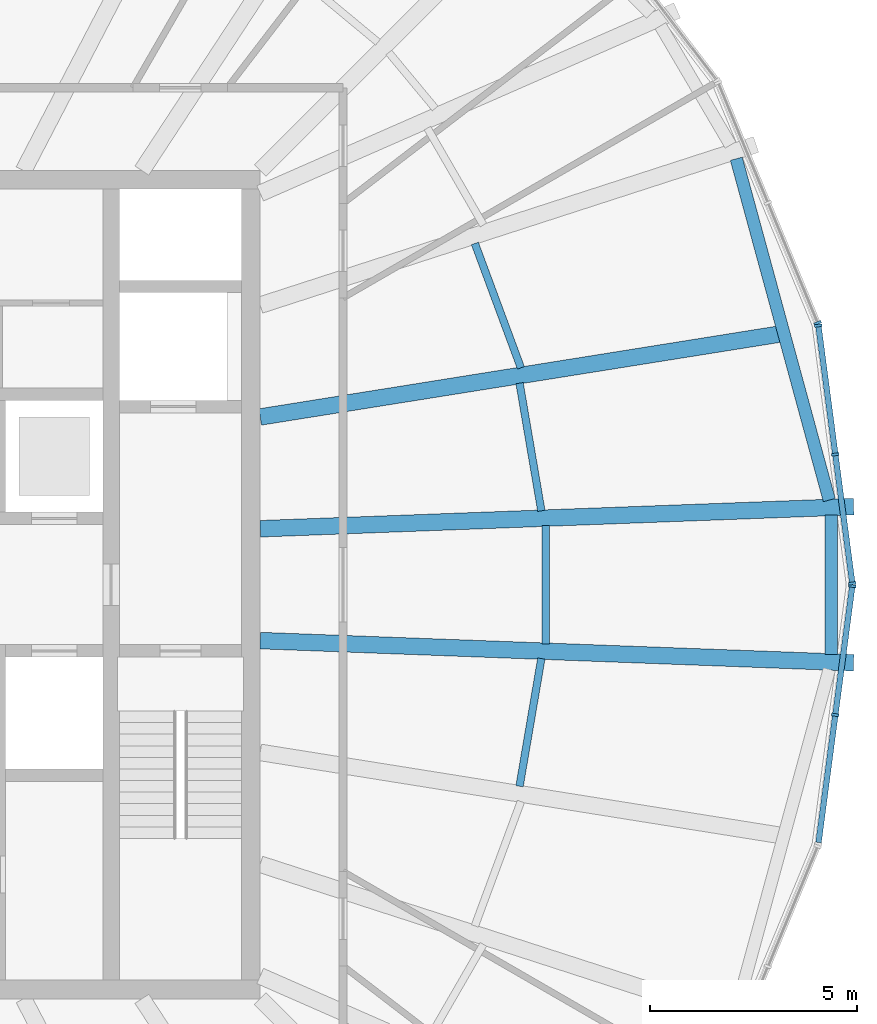
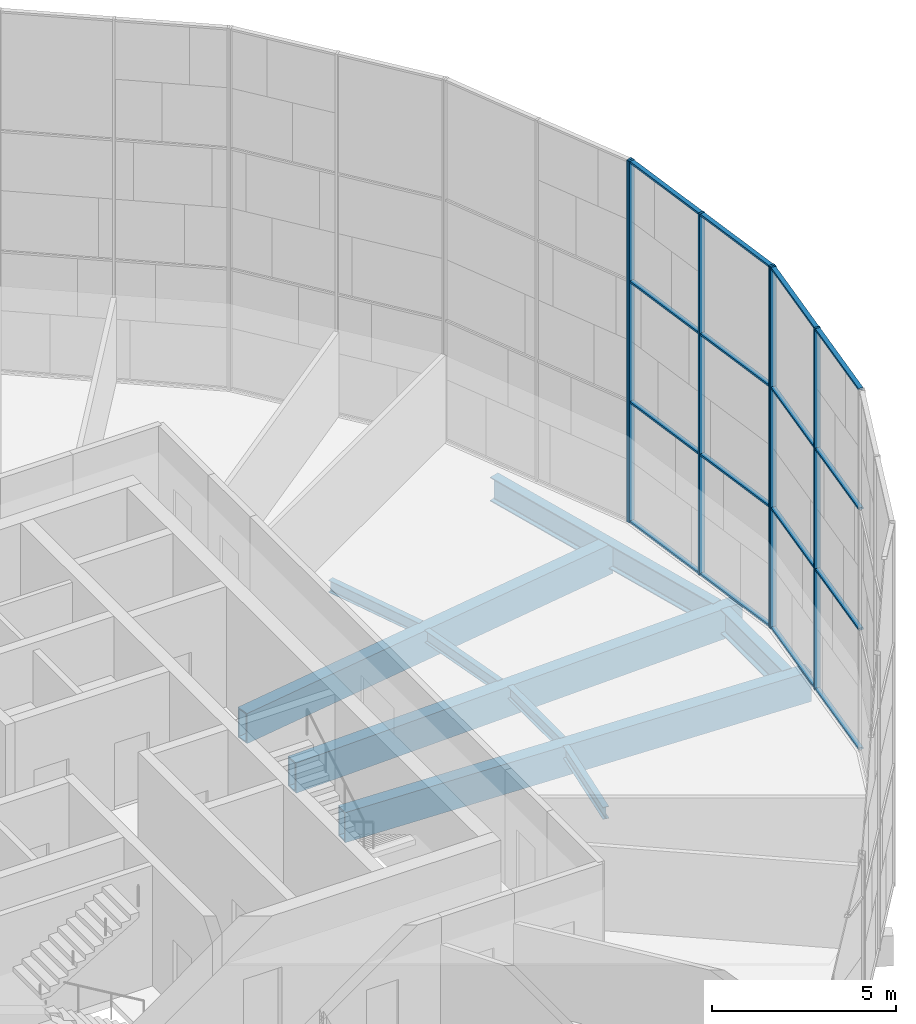
# One storey, part 5 of 22: 22 members, 9 beams, 3 elements without a shape of their own.
"""IFC4 building model written with IfcOpenShell, lengths in metres."""

from ifc_helpers import new_model, si_unit, direction, frame, origin, origin_2d, place, context, subcontext, project, spatial, rectangle, hollow_rectangle, i_section, extrude, material, material_profile, profile_set, type_object, element, aggregate, save


model = new_model("IFC4")

# Units and contexts
model_context = context("Model", 3, precision=1e-05, world=origin(), true_north=direction((0.0, 1.0)))
body_context = subcontext(model_context, "Body", "Model", "MODEL_VIEW")
ifc_project = project(units=[si_unit("LENGTHUNIT", "METRE"), si_unit("AREAUNIT", "SQUARE_METRE"), si_unit("VOLUMEUNIT", "CUBIC_METRE"), si_unit("PLANEANGLEUNIT", "RADIAN"), si_unit("MASSUNIT", "GRAM", prefix="KILO")], contexts=[model_context])

# Site, building, storey
site_placement = place(None, origin())
site = spatial("IfcSite", under=ifc_project, at=site_placement, CompositionType="ELEMENT")
building_placement = place(site_placement, origin())
building = spatial("IfcBuilding", under=site, at=building_placement, Name="Golbaran Civic Tower", CompositionType="ELEMENT")
storey_placement = place(building_placement, frame((0.0, 0.0, 155.0)))
storey = spatial("IfcBuildingStorey", under=building, at=storey_placement, Name="L37", CompositionType="ELEMENT", Elevation=155.0)

# Beams
ifc_material_1 = material(Name="Steel S355", Category="steel")
ifc_material_profile_1 = material_profile(ifc_material_1, i_section(OverallWidth=0.300048828125, OverallDepth=0.800048828125, WebThickness=0.017578125, FlangeThickness=0.032958984375, FilletRadius=0.030029296875, at=origin_2d()), Name="HEB 800")
ifc_profile_set_1 = profile_set([ifc_material_profile_1], Name="Steel S355")
beam_type_1 = type_object("IfcBeamType", Name="EDGE BEAM HEB 800", PredefinedType="BEAM", material=ifc_profile_set_1)
beam_1_placement = place(storey_placement, frame((23.742431640625, 2.04345703125, -0.60009765625), z_axis=(-0.262832022744, 0.964841607633, 0.0), x_axis=(-0.964841607633, -0.262832022744, 0.0)))
element("IfcBeam", 1, at=beam_1_placement, inside=storey, type_object=beam_type_1, Name="Edge beam 4.38 L37", PredefinedType="BEAM", context=body_context, shape_type="SweptSolid", body=[
    extrude(i_section(OverallWidth=0.300048828125, OverallDepth=0.800048828125, WebThickness=0.017578125, FlangeThickness=0.032958984375, FilletRadius=0.030029296875, at=origin_2d()), origin(), (0.0, 0.0, 1.0), 8.5419921875),
])
beam_2_placement = place(storey_placement, frame((23.791015625, -1.68505859375, -0.60009765625), z_axis=(0.0, 1.0, 0.0), x_axis=(-1.0, 0.0, 0.0)))
element("IfcBeam", 2, at=beam_2_placement, inside=storey, type_object=beam_type_1, Name="Edge beam 355.62 L37", PredefinedType="BEAM", context=body_context, shape_type="SweptSolid", body=[
    extrude(i_section(OverallWidth=0.300048828125, OverallDepth=0.800048828125, WebThickness=0.017578125, FlangeThickness=0.032958984375, FilletRadius=0.030029296875, at=origin_2d()), origin(), (0.0, 0.0, 1.0), 3.3701171875),
])
ifc_material_profile_2 = material_profile(ifc_material_1, i_section(OverallWidth=0.179931640625, OverallDepth=0.39990234375, WebThickness=0.008544921875, FlangeThickness=0.013427734375, FilletRadius=0.02099609375, at=origin_2d()), Name="IPE 400")
ifc_profile_set_2 = profile_set([ifc_material_profile_2], Name="Steel S355")
beam_type_2 = type_object("IfcBeamType", Name="FLOOR INFILL BEAM IPE 400", PredefinedType="BEAM", material=ifc_profile_set_2)
beam_3_placement = place(storey_placement, frame((16.789306640625, 1.78369140625, -0.39990234375), z_axis=(-0.168270567281, 0.985740846362, 0.0), x_axis=(-0.985740846362, -0.168270567281, 0.0)))
element("IfcBeam", 3, at=beam_3_placement, inside=storey, type_object=beam_type_2, Name="Infill beam 9.69 L37", PredefinedType="BEAM", context=body_context, shape_type="SweptSolid", body=[
    extrude(i_section(OverallWidth=0.179931640625, OverallDepth=0.39990234375, WebThickness=0.008544921875, FlangeThickness=0.013427734375, FilletRadius=0.02099609375, at=origin_2d()), origin(), (0.0, 0.0, 1.0), 3.128173828125),
])
beam_4_placement = place(storey_placement, frame((16.29541015625, 5.23681640625, -0.39990234375), z_axis=(-0.3471181857, 0.937821392993, 0.0), x_axis=(-0.937821392993, -0.3471181857, 0.0)))
element("IfcBeam", 4, at=beam_4_placement, inside=storey, type_object=beam_type_2, Name="Infill beam 20.31 L37", PredefinedType="BEAM", context=body_context, shape_type="SweptSolid", body=[
    extrude(i_section(OverallWidth=0.179931640625, OverallDepth=0.39990234375, WebThickness=0.008544921875, FlangeThickness=0.013427734375, FilletRadius=0.02099609375, at=origin_2d()), origin(), (0.0, 0.0, 1.0), 3.202392578125),
])
beam_5_placement = place(storey_placement, frame((16.262939453125, -4.8671875, -0.39990234375), z_axis=(0.168270567281, 0.985740846362, 0.0), x_axis=(-0.985740846362, 0.168270567281, 0.0)))
element("IfcBeam", 5, at=beam_5_placement, inside=storey, type_object=beam_type_2, Name="Infill beam 350.31 L37", PredefinedType="BEAM", context=body_context, shape_type="SweptSolid", body=[
    extrude(i_section(OverallWidth=0.179931640625, OverallDepth=0.39990234375, WebThickness=0.008544921875, FlangeThickness=0.013427734375, FilletRadius=0.02099609375, at=origin_2d()), origin(), (0.0, 0.0, 1.0), 3.128173828125),
])
beam_6_placement = place(storey_placement, frame((16.8955078125, -1.427490234375, -0.39990234375), z_axis=(0.0, 1.0, 0.0), x_axis=(-1.0, 0.0, 0.0)))
element("IfcBeam", 6, at=beam_6_placement, inside=storey, type_object=beam_type_2, Name="Infill beam 0.00 L37", PredefinedType="BEAM", context=body_context, shape_type="SweptSolid", body=[
    extrude(i_section(OverallWidth=0.179931640625, OverallDepth=0.39990234375, WebThickness=0.008544921875, FlangeThickness=0.013427734375, FilletRadius=0.02099609375, at=origin_2d()), origin(), (0.0, 0.0, 1.0), 2.85498046875),
])

# Curtain wall, members
ifc_material_2 = material(Name="Aluminium and glass", Category="aluminium")
curtain_wall_type = type_object("IfcCurtainWallType", Name="INNER SKIN CURTAIN WALL", PredefinedType="NOTDEFINED", material=ifc_material_2)
curtain_wall_1_placement = place(storey_placement, origin())
curtain_wall_1 = element("IfcCurtainWall", 7, at=curtain_wall_1_placement, inside=storey, type_object=curtain_wall_type, Name="Inner skin L37 facet 1 CW1", ObjectType="INNER SKIN", PredefinedType="USERDEFINED")
ifc_material_3 = material(Name="Aluminium", Category="aluminium")
ifc_material_profile_3 = material_profile(ifc_material_3, rectangle(XDim=0.179931640625, YDim=0.06494140625, at=origin_2d()), Name="INNER SKIN CURTAIN WALL MULLION")
ifc_profile_set_3 = profile_set([ifc_material_profile_3], Name="Aluminium")
member_type_1 = type_object("IfcMemberType", Name="INNER SKIN CURTAIN WALL MULLION", PredefinedType="MULLION", material=ifc_profile_set_3)
member_1_placement = place(storey_placement, frame((24.2978515625, 0.0322265625, 0.0), z_axis=(0.0, 0.0, 1.0), x_axis=(-0.991444861365, -0.130526192289, 0.0)))
member_1 = element("IfcMember", 8, at=member_1_placement, type_object=member_type_1, Name="CW1 mullion 1", PredefinedType="MULLION", context=body_context, shape_type="SweptSolid", body=[
    extrude(rectangle(XDim=0.179931640625, YDim=0.06494140625, at=origin_2d()), origin(), (0.0, 0.0, 1.0), 12.0),
])
member_2_placement = place(storey_placement, frame((23.887939453125, 3.14501953125, 0.0), z_axis=(0.0, 0.0, 1.0), x_axis=(-0.991444861365, -0.130526192289, 0.0)))
member_2 = element("IfcMember", 9, at=member_2_placement, type_object=member_type_1, Name="CW1 mullion 2", PredefinedType="MULLION", context=body_context, shape_type="SweptSolid", body=[
    extrude(rectangle(XDim=0.179931640625, YDim=0.06494140625, at=origin_2d()), origin(), (0.0, 0.0, 1.0), 12.0),
])
member_3_placement = place(storey_placement, frame((23.478271484375, 6.257568359375, 0.0), z_axis=(0.0, 0.0, 1.0), x_axis=(-0.991444861365, -0.130526192289, 0.0)))
member_3 = element("IfcMember", 10, at=member_3_placement, type_object=member_type_1, Name="CW1 mullion 3", PredefinedType="MULLION", context=body_context, shape_type="SweptSolid", body=[
    extrude(rectangle(XDim=0.179931640625, YDim=0.06494140625, at=origin_2d()), origin(), (0.0, 0.0, 1.0), 12.0),
])

# Curtain wall, member
curtain_wall_2_placement = place(storey_placement, origin())
curtain_wall_2 = element("IfcCurtainWall", 11, at=curtain_wall_2_placement, inside=storey, type_object=curtain_wall_type, Name="Inner skin L37 facet 2 CW1", ObjectType="INNER SKIN", PredefinedType="USERDEFINED")
member_4_placement = place(storey_placement, frame((23.46142578125, 6.31982421875, 0.0), z_axis=(0.0, 0.0, 1.0), x_axis=(-0.923879532551, -0.382683432268, 0.0)))
member_4 = element("IfcMember", 12, at=member_4_placement, type_object=member_type_1, Name="CW1 mullion 1", PredefinedType="MULLION", context=body_context, shape_type="SweptSolid", body=[
    extrude(rectangle(XDim=0.179931640625, YDim=0.06494140625, at=origin_2d()), origin(), (0.0, 0.0, 1.0), 12.0),
])
aggregate(curtain_wall_2, [member_4])

# Curtain wall, members
curtain_wall_3_placement = place(storey_placement, origin())
curtain_wall_3 = element("IfcCurtainWall", 13, at=curtain_wall_3_placement, inside=storey, type_object=curtain_wall_type, Name="Inner skin L37 facet 24 CW1", ObjectType="INNER SKIN", PredefinedType="USERDEFINED")
member_5_placement = place(storey_placement, frame((23.887939453125, -3.14501953125, 0.0), z_axis=(0.0, 0.0, 1.0), x_axis=(-0.991444861365, 0.130526192289, 0.0)))
member_5 = element("IfcMember", 14, at=member_5_placement, type_object=member_type_1, Name="CW1 mullion 2", PredefinedType="MULLION", context=body_context, shape_type="SweptSolid", body=[
    extrude(rectangle(XDim=0.179931640625, YDim=0.06494140625, at=origin_2d()), origin(), (0.0, 0.0, 1.0), 12.0),
])
member_6_placement = place(storey_placement, frame((24.2978515625, -0.0322265625, 0.0), z_axis=(0.0, 0.0, 1.0), x_axis=(-0.991444861365, 0.130526192289, 0.0)))
member_6 = element("IfcMember", 15, at=member_6_placement, type_object=member_type_1, Name="CW1 mullion 3", PredefinedType="MULLION", context=body_context, shape_type="SweptSolid", body=[
    extrude(rectangle(XDim=0.179931640625, YDim=0.06494140625, at=origin_2d()), origin(), (0.0, 0.0, 1.0), 12.0),
])

# Member
ifc_material_profile_4 = material_profile(ifc_material_3, rectangle(XDim=0.139892578125, YDim=0.06494140625, at=origin_2d()), Name="INNER SKIN CURTAIN WALL TRANSOM")
ifc_profile_set_4 = profile_set([ifc_material_profile_4], Name="Aluminium")
member_type_2 = type_object("IfcMemberType", Name="INNER SKIN CURTAIN WALL TRANSOM", PredefinedType="USERDEFINED", material=ifc_profile_set_4)
member_7_placement = place(storey_placement, frame((24.29345703125, 0.064453125, 0.032470703125), z_axis=(-0.130540781221, 0.991442940586, 0.0), x_axis=(-0.991442940586, -0.130540781221, 0.0)))
member_7 = element("IfcMember", 16, at=member_7_placement, type_object=member_type_2, Name="CW1 transom 1.1", ObjectType="TRANSOM", PredefinedType="USERDEFINED", context=body_context, shape_type="SweptSolid", body=[
    extrude(rectangle(XDim=0.139892578125, YDim=0.06494140625, at=origin_2d()), origin(), (0.0, 0.0, 1.0), 3.07470703125),
])

member_8_placement = place(storey_placement, frame((24.29345703125, 0.064453125, 4.0), z_axis=(-0.130540781221, 0.991442940586, 0.0), x_axis=(-0.991442940586, -0.130540781221, 0.0)))
member_8 = element("IfcMember", 17, at=member_8_placement, type_object=member_type_2, Name="CW1 transom 1.2", ObjectType="TRANSOM", PredefinedType="USERDEFINED", context=body_context, shape_type="SweptSolid", body=[
    extrude(rectangle(XDim=0.139892578125, YDim=0.06494140625, at=origin_2d()), origin(), (0.0, 0.0, 1.0), 3.07470703125),
])

member_9_placement = place(storey_placement, frame((24.29345703125, 0.064453125, 8.0), z_axis=(-0.130540781221, 0.991442940586, 0.0), x_axis=(-0.991442940586, -0.130540781221, 0.0)))
member_9 = element("IfcMember", 18, at=member_9_placement, type_object=member_type_2, Name="CW1 transom 1.3", ObjectType="TRANSOM", PredefinedType="USERDEFINED", context=body_context, shape_type="SweptSolid", body=[
    extrude(rectangle(XDim=0.139892578125, YDim=0.06494140625, at=origin_2d()), origin(), (0.0, 0.0, 1.0), 3.07470703125),
])

member_10_placement = place(storey_placement, frame((24.29345703125, 0.064453125, 11.967529296875), z_axis=(-0.130540781221, 0.991442940586, 0.0), x_axis=(-0.991442940586, -0.130540781221, 0.0)))
member_10 = element("IfcMember", 19, at=member_10_placement, type_object=member_type_2, Name="CW1 transom 1.4", ObjectType="TRANSOM", PredefinedType="USERDEFINED", context=body_context, shape_type="SweptSolid", body=[
    extrude(rectangle(XDim=0.139892578125, YDim=0.06494140625, at=origin_2d()), origin(), (0.0, 0.0, 1.0), 3.07470703125),
])

member_11_placement = place(storey_placement, frame((23.8837890625, 3.17724609375, 0.032470703125), z_axis=(-0.130551058833, 0.991441587305, 0.0), x_axis=(-0.991441587305, -0.130551058833, 0.0)))
member_11 = element("IfcMember", 20, at=member_11_placement, type_object=member_type_2, Name="CW1 transom 2.1", ObjectType="TRANSOM", PredefinedType="USERDEFINED", context=body_context, shape_type="SweptSolid", body=[
    extrude(rectangle(XDim=0.139892578125, YDim=0.06494140625, at=origin_2d()), origin(), (0.0, 0.0, 1.0), 3.074462890625),
])

member_12_placement = place(storey_placement, frame((23.8837890625, 3.17724609375, 4.0), z_axis=(-0.130551058833, 0.991441587305, 0.0), x_axis=(-0.991441587305, -0.130551058833, 0.0)))
member_12 = element("IfcMember", 21, at=member_12_placement, type_object=member_type_2, Name="CW1 transom 2.2", ObjectType="TRANSOM", PredefinedType="USERDEFINED", context=body_context, shape_type="SweptSolid", body=[
    extrude(rectangle(XDim=0.139892578125, YDim=0.06494140625, at=origin_2d()), origin(), (0.0, 0.0, 1.0), 3.074462890625),
])

member_13_placement = place(storey_placement, frame((23.8837890625, 3.17724609375, 8.0), z_axis=(-0.130551058833, 0.991441587305, 0.0), x_axis=(-0.991441587305, -0.130551058833, 0.0)))
member_13 = element("IfcMember", 22, at=member_13_placement, type_object=member_type_2, Name="CW1 transom 2.3", ObjectType="TRANSOM", PredefinedType="USERDEFINED", context=body_context, shape_type="SweptSolid", body=[
    extrude(rectangle(XDim=0.139892578125, YDim=0.06494140625, at=origin_2d()), origin(), (0.0, 0.0, 1.0), 3.074462890625),
])

member_14_placement = place(storey_placement, frame((23.8837890625, 3.17724609375, 11.967529296875), z_axis=(-0.130551058833, 0.991441587305, 0.0), x_axis=(-0.991441587305, -0.130551058833, 0.0)))
member_14 = element("IfcMember", 23, at=member_14_placement, type_object=member_type_2, Name="CW1 transom 2.4", ObjectType="TRANSOM", PredefinedType="USERDEFINED", context=body_context, shape_type="SweptSolid", body=[
    extrude(rectangle(XDim=0.139892578125, YDim=0.06494140625, at=origin_2d()), origin(), (0.0, 0.0, 1.0), 3.074462890625),
])

aggregate(curtain_wall_1, [member_1, member_2, member_3, member_7, member_8, member_9, member_10, member_11, member_12, member_13, member_14])

member_15_placement = place(storey_placement, frame((23.482421875, -6.225341796875, 0.032470703125), z_axis=(0.130551058833, 0.991441587305, 0.0), x_axis=(-0.991441587305, 0.130551058833, 0.0)))
member_15 = element("IfcMember", 24, at=member_15_placement, type_object=member_type_2, Name="CW1 transom 1.1", ObjectType="TRANSOM", PredefinedType="USERDEFINED", context=body_context, shape_type="SweptSolid", body=[
    extrude(rectangle(XDim=0.139892578125, YDim=0.06494140625, at=origin_2d()), origin(), (0.0, 0.0, 1.0), 3.074462890625),
])

member_16_placement = place(storey_placement, frame((23.482421875, -6.225341796875, 4.0), z_axis=(0.130551058833, 0.991441587305, 0.0), x_axis=(-0.991441587305, 0.130551058833, 0.0)))
member_16 = element("IfcMember", 25, at=member_16_placement, type_object=member_type_2, Name="CW1 transom 1.2", ObjectType="TRANSOM", PredefinedType="USERDEFINED", context=body_context, shape_type="SweptSolid", body=[
    extrude(rectangle(XDim=0.139892578125, YDim=0.06494140625, at=origin_2d()), origin(), (0.0, 0.0, 1.0), 3.074462890625),
])

member_17_placement = place(storey_placement, frame((23.482421875, -6.225341796875, 8.0), z_axis=(0.130551058833, 0.991441587305, 0.0), x_axis=(-0.991441587305, 0.130551058833, 0.0)))
member_17 = element("IfcMember", 26, at=member_17_placement, type_object=member_type_2, Name="CW1 transom 1.3", ObjectType="TRANSOM", PredefinedType="USERDEFINED", context=body_context, shape_type="SweptSolid", body=[
    extrude(rectangle(XDim=0.139892578125, YDim=0.06494140625, at=origin_2d()), origin(), (0.0, 0.0, 1.0), 3.074462890625),
])

member_18_placement = place(storey_placement, frame((23.482421875, -6.225341796875, 11.967529296875), z_axis=(0.130551058833, 0.991441587305, 0.0), x_axis=(-0.991441587305, 0.130551058833, 0.0)))
member_18 = element("IfcMember", 27, at=member_18_placement, type_object=member_type_2, Name="CW1 transom 1.4", ObjectType="TRANSOM", PredefinedType="USERDEFINED", context=body_context, shape_type="SweptSolid", body=[
    extrude(rectangle(XDim=0.139892578125, YDim=0.06494140625, at=origin_2d()), origin(), (0.0, 0.0, 1.0), 3.074462890625),
])

member_19_placement = place(storey_placement, frame((23.89208984375, -3.11279296875, 0.032470703125), z_axis=(0.130540781221, 0.991442940586, 0.0), x_axis=(-0.991442940586, 0.130540781221, 0.0)))
member_19 = element("IfcMember", 28, at=member_19_placement, type_object=member_type_2, Name="CW1 transom 2.1", ObjectType="TRANSOM", PredefinedType="USERDEFINED", context=body_context, shape_type="SweptSolid", body=[
    extrude(rectangle(XDim=0.139892578125, YDim=0.06494140625, at=origin_2d()), origin(), (0.0, 0.0, 1.0), 3.07470703125),
])

member_20_placement = place(storey_placement, frame((23.89208984375, -3.11279296875, 4.0), z_axis=(0.130540781221, 0.991442940586, 0.0), x_axis=(-0.991442940586, 0.130540781221, 0.0)))
member_20 = element("IfcMember", 29, at=member_20_placement, type_object=member_type_2, Name="CW1 transom 2.2", ObjectType="TRANSOM", PredefinedType="USERDEFINED", context=body_context, shape_type="SweptSolid", body=[
    extrude(rectangle(XDim=0.139892578125, YDim=0.06494140625, at=origin_2d()), origin(), (0.0, 0.0, 1.0), 3.07470703125),
])

member_21_placement = place(storey_placement, frame((23.89208984375, -3.11279296875, 8.0), z_axis=(0.130540781221, 0.991442940586, 0.0), x_axis=(-0.991442940586, 0.130540781221, 0.0)))
member_21 = element("IfcMember", 30, at=member_21_placement, type_object=member_type_2, Name="CW1 transom 2.3", ObjectType="TRANSOM", PredefinedType="USERDEFINED", context=body_context, shape_type="SweptSolid", body=[
    extrude(rectangle(XDim=0.139892578125, YDim=0.06494140625, at=origin_2d()), origin(), (0.0, 0.0, 1.0), 3.07470703125),
])

member_22_placement = place(storey_placement, frame((23.89208984375, -3.11279296875, 11.967529296875), z_axis=(0.130540781221, 0.991442940586, 0.0), x_axis=(-0.991442940586, 0.130540781221, 0.0)))
member_22 = element("IfcMember", 31, at=member_22_placement, type_object=member_type_2, Name="CW1 transom 2.4", ObjectType="TRANSOM", PredefinedType="USERDEFINED", context=body_context, shape_type="SweptSolid", body=[
    extrude(rectangle(XDim=0.139892578125, YDim=0.06494140625, at=origin_2d()), origin(), (0.0, 0.0, 1.0), 3.07470703125),
])

aggregate(curtain_wall_3, [member_5, member_6, member_15, member_16, member_17, member_18, member_19, member_20, member_21, member_22])

# Beams
ifc_material_profile_5 = material_profile(ifc_material_1, hollow_rectangle(XDim=0.39990234375, YDim=1.0, WallThickness=0.050048828125, at=origin_2d()), Name="BOX 1000x400x50")
ifc_profile_set_5 = profile_set([ifc_material_profile_5], Name="Steel S355")
beam_type_3 = type_object("IfcBeamType", Name="RADIAL FLOOR BEAM BOX 1000x400x50", PredefinedType="BEAM", material=ifc_profile_set_5)
for number, where, z_axis, x_axis, name in (
    (32, (10.0, 1.35009765625, -0.7099609375), (0.999303263092, 0.03732275946, 0.0), (-0.03732275946, 0.999303263092, 0.0), "Radial beam 4.38 L37"),
    (33, (10.0, -1.35009765625, -0.7099609375), (0.999303263092, -0.03732275946, 0.0), (0.03732275946, 0.999303263092, 0.0), "Radial beam 355.62 L37"),
):
    element("IfcBeam", number, at=place(storey_placement, frame(where, z_axis=z_axis, x_axis=x_axis)), inside=storey, type_object=beam_type_3, Name=name, PredefinedType="BEAM", context=body_context, shape_type="SweptSolid", body=[
        extrude(hollow_rectangle(XDim=0.39990234375, YDim=1.0, WallThickness=0.050048828125, at=origin_2d()), origin(), (0.0, 0.0, 1.0), 14.338623046875),
    ])
ifc_material_profile_6 = material_profile(ifc_material_1, hollow_rectangle(XDim=0.39990234375, YDim=1.0, WallThickness=0.0400390625, at=origin_2d()), Name="BOX 1000x400x40")
ifc_profile_set_6 = profile_set([ifc_material_profile_6], Name="Steel S355")
beam_type_4 = type_object("IfcBeamType", Name="SECONDARY FLOOR BEAM BOX 1000x400x40", PredefinedType="BEAM", material=ifc_profile_set_6)
beam_7_placement = place(storey_placement, frame((10.0, 4.050048828125, -0.7099609375), z_axis=(0.987505503488, 0.157584518848, 0.0), x_axis=(-0.157584518848, 0.987505503488, 0.0)))
element("IfcBeam", 34, at=beam_7_placement, inside=storey, type_object=beam_type_4, Name="Secondary beam 15.00 L37", PredefinedType="BEAM", context=body_context, shape_type="SweptSolid", body=[
    extrude(hollow_rectangle(XDim=0.39990234375, YDim=1.0, WallThickness=0.0400390625, at=origin_2d()), origin(), (0.0, 0.0, 1.0), 12.80615234375),
])

save(model, "model.ifc")
